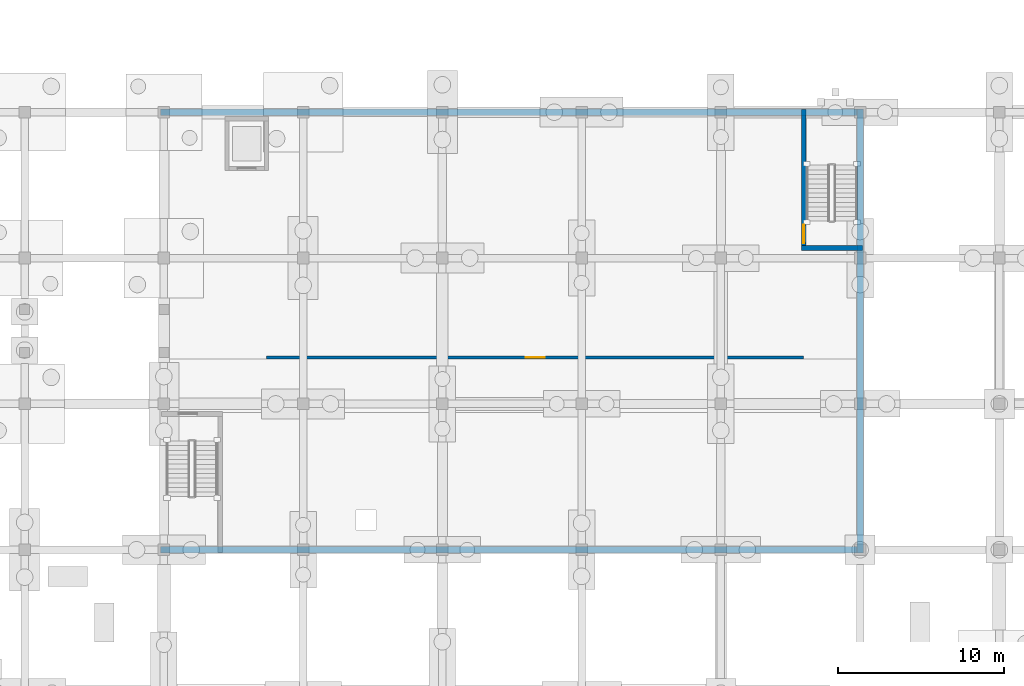
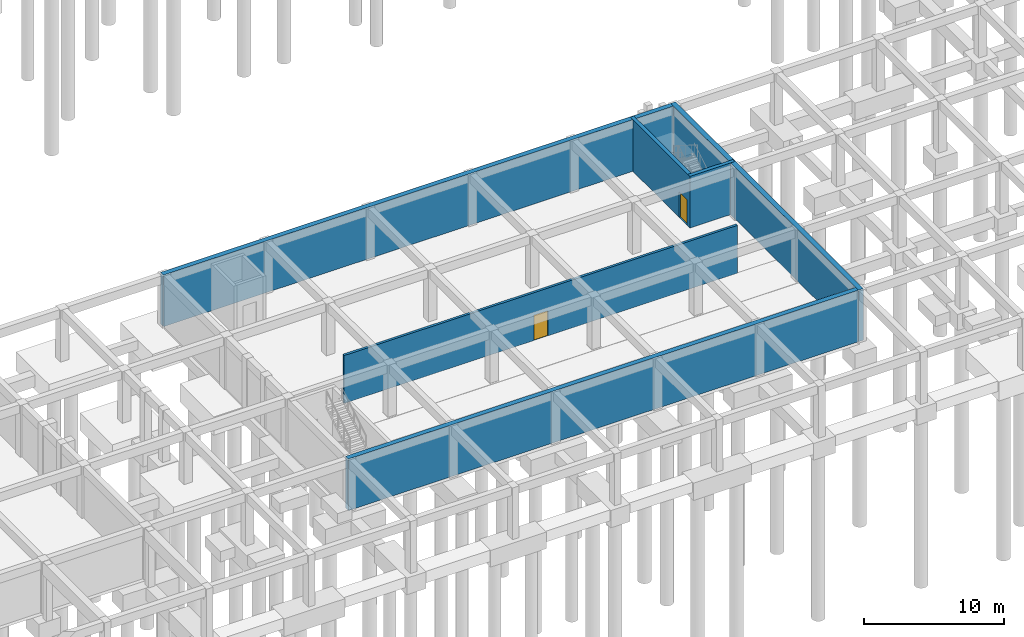
# One storey, part 24 of 41: 6 walls, 2 doors, 2 openings.
"""IFC4 building model written with IfcOpenShell, lengths in metres."""

from ifc_helpers import new_model, si_unit, direction, frame, frame_2d, origin, place, context, subcontext, project, spatial, rectangle, extrude, material, layer, layer_set, type_object, element, fill, save


model = new_model("IFC4")

# Units and contexts
model_context = context("Model", 3, precision=1e-05, world=origin(), true_north=direction((0.0, 1.0)))
body_context = subcontext(model_context, "Body", "Model", "MODEL_VIEW")
ifc_project = project(units=[si_unit("LENGTHUNIT", "METRE"), si_unit("AREAUNIT", "SQUARE_METRE"), si_unit("VOLUMEUNIT", "CUBIC_METRE"), si_unit("PLANEANGLEUNIT", "RADIAN"), si_unit("MASSUNIT", "GRAM", prefix="KILO")], contexts=[model_context])

# Site, building, storey
site_placement = place(None, origin())
site = spatial("IfcSite", under=ifc_project, at=site_placement, CompositionType="ELEMENT")
building_placement = place(site_placement, origin())
building = spatial("IfcBuilding", under=site, at=building_placement, Name="Kemercrest Conservatory and Botanical Centre", CompositionType="ELEMENT")
storey_placement = place(building_placement, frame((0.0, 0.0, -4.5)))
storey = spatial("IfcBuildingStorey", under=building, at=storey_placement, Name="B1", CompositionType="ELEMENT", Elevation=-4.5)

# Wall
ifc_material_1 = material(Name="Concrete C50/60", Category="concrete")
ifc_layer_1 = layer(ifc_material_1, 0.300048828125)
ifc_layer_set_1 = layer_set([ifc_layer_1], Name="Concrete C50/60")
wall_type_1 = type_object("IfcWallType", Name="CW-STAIR", PredefinedType="SHEAR", material=ifc_layer_set_1)
wall_1_placement = place(storey_placement, frame((96.85009765625, 35.0, 0.0), z_axis=(0.0, 0.0, 1.0), x_axis=(1.0, 0.0, 0.0)))
element("IfcWall", 1, at=wall_1_placement, inside=storey, type_object=wall_type_1, Name="Stair core ST-V2B shear wall S", PredefinedType="SHEAR", context=body_context, shape_type="SweptSolid", body=[
    extrude(rectangle(XDim=3.699951171875, YDim=0.300048828125, at=frame_2d((1.85009765625, 0.0))), origin(), (0.0, 0.0, 1.0), 4.5),
])

# Wall, opening, door
wall_2_placement = place(storey_placement, frame((97.0, 34.85009765625, 0.0), z_axis=(0.0, 0.0, 1.0), x_axis=(0.0, 1.0, 0.0)))
wall_2 = element("IfcWall", 2, at=wall_2_placement, inside=storey, type_object=wall_type_1, Name="Stair core ST-V2B shear wall W", PredefinedType="SHEAR", context=body_context, shape_type="SweptSolid", body=[
    extrude(rectangle(XDim=8.5, YDim=0.300048828125, at=frame_2d((4.25, 0.0))), origin(), (0.0, 0.0, 1.0), 4.5),
])
opening_1_placement = place(wall_2_placement, frame((0.449951171875, 0.0, 0.0)))
opening_1 = element("IfcOpeningElement", 3, at=opening_1_placement, cuts=wall_2, Name="Opening D011", PredefinedType="OPENING", context=body_context, shape_type="SweptSolid", body=[
    extrude(rectangle(XDim=1.10009765625, YDim=2.199951171875, at=frame_2d((0.550048828125, 1.10009765625))), frame((0.0, 0.16015625, 0.0), z_axis=(0.0, -1.0, 0.0), x_axis=(1.0, 0.0, 0.0)), (0.0, 0.0, 1.0), 0.320068359375),
])
ifc_material_2 = material(Name="Powder-coated galvanized steel and fire-rated vision glass", Category="steel")
door_type_1 = type_object("IfcDoorType", Name="DT-FD90", OperationType="NOTDEFINED", PredefinedType="DOOR", material=ifc_material_2)
door_1_placement = place(opening_1_placement, origin())
door_1 = element("IfcDoor", 4, at=door_1_placement, inside=storey, type_object=door_type_1, Name="Exit stair ST-V2B fire door D011", OperationType="SINGLE_SWING_LEFT", OverallHeight=2.199951171875, OverallWidth=1.10009765625, PredefinedType="DOOR", context=body_context, shape_type="SweptSolid", body=[
    extrude(rectangle(XDim=1.10009765625, YDim=2.199951171875, at=frame_2d((0.550048828125, 1.10009765625))), frame((0.0, 0.02490234375, 0.0), z_axis=(0.0, -1.0, 0.0), x_axis=(1.0, 0.0, 0.0)), (0.0, 0.0, 1.0), 0.050048828125),
])
fill(opening_1, door_1)

ifc_material_3 = material(Name="Concrete C40/50", Category="concrete")
ifc_layer_2 = layer(ifc_material_3, 0.199951171875)
ifc_layer_set_2 = layer_set([ifc_layer_2], Name="Concrete C40/50")
wall_type_2 = type_object("IfcWallType", Name="W-FIRE", PredefinedType="PARTITIONING", material=ifc_layer_set_2)
wall_3_placement = place(storey_placement, frame((64.60009765625, 28.39990234375, 0.0), z_axis=(0.0, 0.0, 1.0), x_axis=(1.0, 0.0, 0.0)))
wall_3 = element("IfcWall", 5, at=wall_3_placement, inside=storey, type_object=wall_type_2, Name="Interior partition W-FIRE #2", PredefinedType="PARTITIONING", context=body_context, shape_type="SweptSolid", body=[
    extrude(rectangle(XDim=32.39990234375, YDim=0.199951171875, at=frame_2d((16.199951171875, 0.0))), origin(), (0.0, 0.0, 1.0), 4.1650390625),
])
opening_2_placement = place(wall_3_placement, frame((15.625, 0.0, 0.0)))
opening_2 = element("IfcOpeningElement", 6, at=opening_2_placement, cuts=wall_3, Name="Opening D106", PredefinedType="OPENING", context=body_context, shape_type="SweptSolid", body=[
    extrude(rectangle(XDim=1.14990234375, YDim=2.199951171875, at=frame_2d((0.574951171875, 1.10009765625))), frame((0.0, 0.10986328125, 0.0), z_axis=(0.0, -1.0, 0.0), x_axis=(1.0, 0.0, 0.0)), (0.0, 0.0, 1.0), 0.219970703125),
])
door_type_2 = type_object("IfcDoorType", Name="DT-FD60", OperationType="NOTDEFINED", PredefinedType="DOOR", material=ifc_material_2)
door_2_placement = place(opening_2_placement, origin())
door_2 = element("IfcDoor", 7, at=door_2_placement, inside=storey, type_object=door_type_2, Name="Central Heat-Recovery Chiller Plant Room door D106", OperationType="SINGLE_SWING_RIGHT", OverallHeight=2.199951171875, OverallWidth=1.14990234375, PredefinedType="DOOR", context=body_context, shape_type="SweptSolid", body=[
    extrude(rectangle(XDim=1.14990234375, YDim=2.199951171875, at=frame_2d((0.574951171875, 1.10009765625))), frame((0.0, 0.02490234375, 0.0), z_axis=(0.0, -1.0, 0.0), x_axis=(1.0, 0.0, 0.0)), (0.0, 0.0, 1.0), 0.050048828125),
])
fill(opening_2, door_2)

# Walls
ifc_layer_3 = layer(ifc_material_3, 0.39990234375)
ifc_layer_set_3 = layer_set([ifc_layer_3], Name="Concrete C40/50")
wall_type_3 = type_object("IfcWallType", Name="W-RET400", PredefinedType="USERDEFINED", material=ifc_layer_set_3)
wall_4_placement = place(storey_placement, frame((58.199951171875, 16.800048828125, 0.0), z_axis=(0.0, 0.0, 1.0), x_axis=(1.0, 0.0, 0.0)))
element("IfcWall", 8, at=wall_4_placement, inside=storey, type_object=wall_type_3, Name="Basement perimeter retaining wall #5", ObjectType="RETAINING WALL", PredefinedType="USERDEFINED", context=body_context, shape_type="SweptSolid", body=[
    extrude(rectangle(XDim=42.400146484375, YDim=0.39990234375, at=frame_2d((21.2001953125, 0.0))), origin(), (0.0, 0.0, 1.0), 4.5),
])
wall_5_placement = place(storey_placement, frame((100.39990234375, 16.60009765625, 0.0), z_axis=(0.0, 0.0, 1.0), x_axis=(0.0, 1.0, 0.0)))
element("IfcWall", 9, at=wall_5_placement, inside=storey, type_object=wall_type_3, Name="Basement perimeter retaining wall #6", ObjectType="RETAINING WALL", PredefinedType="USERDEFINED", context=body_context, shape_type="SweptSolid", body=[
    extrude(rectangle(XDim=26.7998046875, YDim=0.39990234375, at=frame_2d((13.39990234375, 0.0))), origin(), (0.0, 0.0, 1.0), 4.5),
])
wall_6_placement = place(storey_placement, frame((100.60009765625, 43.199951171875, 0.0), z_axis=(0.0, 0.0, 1.0), x_axis=(-1.0, 0.0, 0.0)))
element("IfcWall", 10, at=wall_6_placement, inside=storey, type_object=wall_type_3, Name="Basement perimeter retaining wall #7", ObjectType="RETAINING WALL", PredefinedType="USERDEFINED", context=body_context, shape_type="SweptSolid", body=[
    extrude(rectangle(XDim=42.400146484375, YDim=0.39990234375, at=frame_2d((21.2001953125, 0.0))), origin(), (0.0, 0.0, 1.0), 4.5),
])

save(model, "model.ifc")
